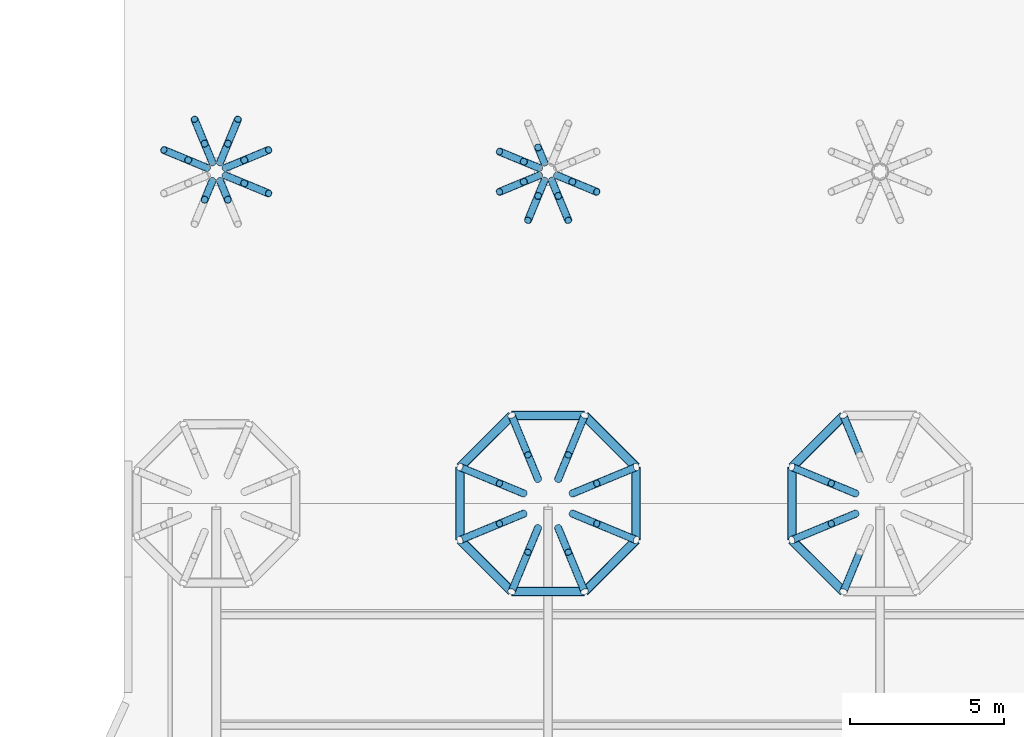
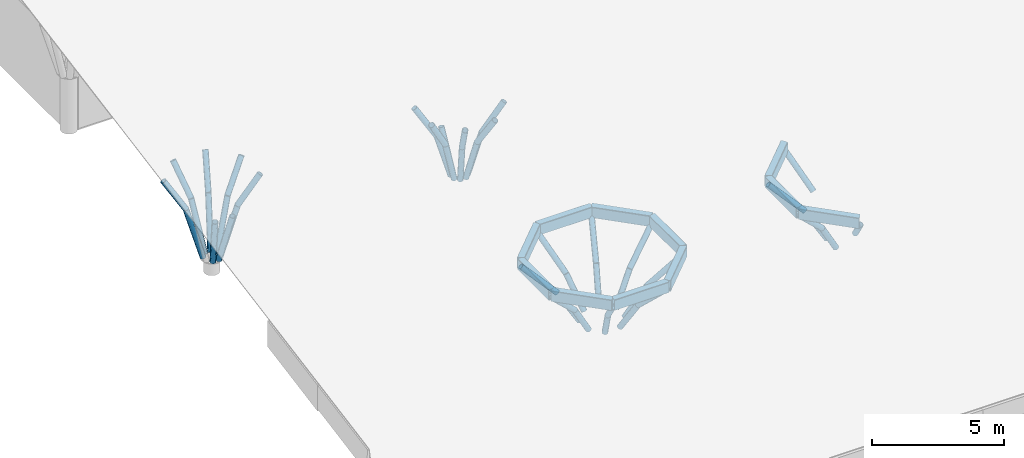
# One storey, part 7 of 56: 45 members, 11 beams.
"""IFC4 building model written with IfcOpenShell, lengths in metres."""

from ifc_helpers import new_model, si_unit, direction, frame, origin, origin_2d, place, context, subcontext, project, spatial, hollow_rectangle, hollow_circle, extrude, clip, halfspace, material, material_profile, profile_set, type_object, element, save


model = new_model("IFC4")

# Units and contexts
model_context = context("Model", 3, precision=1e-05, world=origin(), true_north=direction((0.0, 1.0)))
body_context = subcontext(model_context, "Body", "Model", "MODEL_VIEW")
ifc_project = project(units=[si_unit("LENGTHUNIT", "METRE"), si_unit("AREAUNIT", "SQUARE_METRE"), si_unit("VOLUMEUNIT", "CUBIC_METRE"), si_unit("PLANEANGLEUNIT", "RADIAN"), si_unit("MASSUNIT", "GRAM", prefix="KILO")], contexts=[model_context])

# Site, building, storey
site_placement = place(None, origin())
site = spatial("IfcSite", under=ifc_project, at=site_placement, CompositionType="ELEMENT")
building_placement = place(site_placement, origin())
building = spatial("IfcBuilding", under=site, at=building_placement, Name="Magnolia Steps Interchange", CompositionType="ELEMENT")
storey_placement = place(building_placement, frame((0.0, 0.0, 8.699951171875)))
storey = spatial("IfcBuildingStorey", under=building, at=storey_placement, Name="L02", CompositionType="ELEMENT", Elevation=8.699951171875)

# Beams
ifc_material_1 = material(Name="Steel Q355B", Category="steel")
ifc_material_profile_1 = material_profile(ifc_material_1, hollow_rectangle(XDim=0.300048828125, YDim=0.5, WallThickness=0.01611328125, InnerFilletRadius=0.01611328125, OuterFilletRadius=0.031982421875, at=origin_2d()), Name="RHS500x300x16")
ifc_profile_set_1 = profile_set([ifc_material_profile_1], Name="Steel Q355B")
beam_type = type_object("IfcBeamType", Name="Ring beam RHS500x300x16", PredefinedType="BEAM", material=ifc_profile_set_1)
beam_1_placement = place(storey_placement, frame((66.864013671875, 54.38623046875, 3.424560546875), z_axis=(-0.707106781187, 0.707106781187, 0.0), x_axis=(-0.707106781187, -0.707106781187, 0.0)))
element("IfcBeam", 1, at=beam_1_placement, inside=storey, type_object=beam_type, Name="Ring beam TH02B", PredefinedType="BEAM", context=body_context, shape_type="Clipping", body=[
    clip(clip(extrude(hollow_rectangle(XDim=0.300048828125, YDim=0.5, WallThickness=0.01611328125, InnerFilletRadius=0.01611328125, OuterFilletRadius=0.031982421875, at=origin_2d()), origin(), (0.0, 0.0, 1.0), 2.37255859375), halfspace(frame((0.0, 0.0, 0.0), z_axis=(0.382683433, 0.0, -0.923879532), x_axis=(0.923879532, 0.0, 0.382683433)), False)), halfspace(frame((0.0, 0.0, 2.372674707), z_axis=(0.382683433, 0.0, 0.923879532), x_axis=(0.923879532, 0.0, -0.382683433)), False)),
])
beam_2_placement = place(storey_placement, frame((65.186279296875, 56.06396484375, 3.424560546875), z_axis=(-1.0, 0.0, 0.0), x_axis=(0.0, -1.0, 0.0)))
element("IfcBeam", 2, at=beam_2_placement, inside=storey, type_object=beam_type, Name="Ring beam TH02B", PredefinedType="BEAM", context=body_context, shape_type="Clipping", body=[
    clip(clip(extrude(hollow_rectangle(XDim=0.300048828125, YDim=0.5, WallThickness=0.01611328125, InnerFilletRadius=0.01611328125, OuterFilletRadius=0.031982421875, at=origin_2d()), origin(), (0.0, 0.0, 1.0), 2.37255859375), halfspace(frame((0.0, 0.0, 0.0), z_axis=(0.382683432, 0.0, -0.923879533), x_axis=(0.923879533, 0.0, 0.382683432)), False)), halfspace(frame((0.0, 0.0, 2.372558594), z_axis=(0.382683432, 0.0, 0.923879533), x_axis=(0.923879533, 0.0, -0.382683432)), False)),
])
beam_3_placement = place(storey_placement, frame((62.813720703125, 56.06396484375, 3.424560546875), z_axis=(-0.707106781187, -0.707106781187, 0.0), x_axis=(0.707106781187, -0.707106781187, 0.0)))
element("IfcBeam", 3, at=beam_3_placement, inside=storey, type_object=beam_type, Name="Ring beam TH02B", PredefinedType="BEAM", context=body_context, shape_type="Clipping", body=[
    clip(clip(extrude(hollow_rectangle(XDim=0.300048828125, YDim=0.5, WallThickness=0.01611328125, InnerFilletRadius=0.01611328125, OuterFilletRadius=0.031982421875, at=origin_2d()), origin(), (0.0, 0.0, 1.0), 2.37255859375), halfspace(frame((0.0, 0.0, 0.0), z_axis=(0.382683433, 0.0, -0.923879532), x_axis=(0.923879532, 0.0, 0.382683433)), False)), halfspace(frame((0.0, 0.0, 2.372674707), z_axis=(0.382683433, 0.0, 0.923879532), x_axis=(0.923879532, 0.0, -0.382683433)), False)),
])
beam_4_placement = place(storey_placement, frame((61.135986328125, 54.38623046875, 3.424560546875), z_axis=(0.0, -1.0, 0.0), x_axis=(1.0, 0.0, 0.0)))
element("IfcBeam", 4, at=beam_4_placement, inside=storey, type_object=beam_type, Name="Ring beam TH02B", PredefinedType="BEAM", context=body_context, shape_type="Clipping", body=[
    clip(clip(extrude(hollow_rectangle(XDim=0.300048828125, YDim=0.5, WallThickness=0.01611328125, InnerFilletRadius=0.01611328125, OuterFilletRadius=0.031982421875, at=origin_2d()), origin(), (0.0, 0.0, 1.0), 2.37255859375), halfspace(frame((0.0, 0.0, 0.0), z_axis=(0.382683432, 0.0, -0.923879533), x_axis=(0.923879533, 0.0, 0.382683432)), False)), halfspace(frame((0.0, 0.0, 2.372558594), z_axis=(0.382683432, 0.0, 0.923879533), x_axis=(0.923879533, 0.0, -0.382683432)), False)),
])
beam_5_placement = place(storey_placement, frame((61.135986328125, 52.013671875, 3.424560546875), z_axis=(0.707106781187, -0.707106781187, 0.0), x_axis=(0.707106781187, 0.707106781187, 0.0)))
element("IfcBeam", 5, at=beam_5_placement, inside=storey, type_object=beam_type, Name="Ring beam TH02B", PredefinedType="BEAM", context=body_context, shape_type="Clipping", body=[
    clip(clip(extrude(hollow_rectangle(XDim=0.300048828125, YDim=0.5, WallThickness=0.01611328125, InnerFilletRadius=0.01611328125, OuterFilletRadius=0.031982421875, at=origin_2d()), origin(), (0.0, 0.0, 1.0), 2.37255859375), halfspace(frame((0.0, 0.0, 0.0), z_axis=(0.382683433, 0.0, -0.923879532), x_axis=(0.923879532, 0.0, 0.382683433)), False)), halfspace(frame((0.0, 0.0, 2.372674707), z_axis=(0.382683433, 0.0, 0.923879532), x_axis=(0.923879532, 0.0, -0.382683433)), False)),
])
beam_6_placement = place(storey_placement, frame((62.813720703125, 50.3359375, 3.424560546875), z_axis=(1.0, 0.0, 0.0), x_axis=(0.0, 1.0, 0.0)))
element("IfcBeam", 6, at=beam_6_placement, inside=storey, type_object=beam_type, Name="Ring beam TH02B", PredefinedType="BEAM", context=body_context, shape_type="Clipping", body=[
    clip(clip(extrude(hollow_rectangle(XDim=0.300048828125, YDim=0.5, WallThickness=0.01611328125, InnerFilletRadius=0.01611328125, OuterFilletRadius=0.031982421875, at=origin_2d()), origin(), (0.0, 0.0, 1.0), 2.37255859375), halfspace(frame((0.0, 0.0, 0.0), z_axis=(0.382683432, 0.0, -0.923879533), x_axis=(0.923879533, 0.0, 0.382683432)), False)), halfspace(frame((0.0, 0.0, 2.372558594), z_axis=(0.382683432, 0.0, 0.923879533), x_axis=(0.923879533, 0.0, -0.382683432)), False)),
])
beam_7_placement = place(storey_placement, frame((65.186279296875, 50.3359375, 3.424560546875), z_axis=(0.707106781187, 0.707106781187, 0.0), x_axis=(-0.707106781187, 0.707106781187, 0.0)))
element("IfcBeam", 7, at=beam_7_placement, inside=storey, type_object=beam_type, Name="Ring beam TH02B", PredefinedType="BEAM", context=body_context, shape_type="Clipping", body=[
    clip(clip(extrude(hollow_rectangle(XDim=0.300048828125, YDim=0.5, WallThickness=0.01611328125, InnerFilletRadius=0.01611328125, OuterFilletRadius=0.031982421875, at=origin_2d()), origin(), (0.0, 0.0, 1.0), 2.37255859375), halfspace(frame((0.0, 0.0, 0.0), z_axis=(0.382683433, 0.0, -0.923879532), x_axis=(0.923879532, 0.0, 0.382683433)), False)), halfspace(frame((0.0, 0.0, 2.372674707), z_axis=(0.382683433, 0.0, 0.923879532), x_axis=(0.923879532, 0.0, -0.382683433)), False)),
])
beam_8_placement = place(storey_placement, frame((66.864013671875, 52.013671875, 3.424560546875), z_axis=(0.0, 1.0, 0.0), x_axis=(-1.0, 0.0, 0.0)))
element("IfcBeam", 8, at=beam_8_placement, inside=storey, type_object=beam_type, Name="Ring beam TH02B", PredefinedType="BEAM", context=body_context, shape_type="Clipping", body=[
    clip(clip(extrude(hollow_rectangle(XDim=0.300048828125, YDim=0.5, WallThickness=0.01611328125, InnerFilletRadius=0.01611328125, OuterFilletRadius=0.031982421875, at=origin_2d()), origin(), (0.0, 0.0, 1.0), 2.37255859375), halfspace(frame((0.0, 0.0, 0.0), z_axis=(0.382683432, 0.0, -0.923879533), x_axis=(0.923879533, 0.0, 0.382683432)), False)), halfspace(frame((0.0, 0.0, 2.372558594), z_axis=(0.382683432, 0.0, 0.923879533), x_axis=(0.923879533, 0.0, -0.382683432)), False)),
])
beam_9_placement = place(storey_placement, frame((73.61376953125, 56.06396484375, 3.424560546875), z_axis=(-0.707106781187, -0.707106781187, 0.0), x_axis=(0.707106781187, -0.707106781187, 0.0)))
element("IfcBeam", 9, at=beam_9_placement, inside=storey, type_object=beam_type, Name="Ring beam TH03B", PredefinedType="BEAM", context=body_context, shape_type="Clipping", body=[
    clip(clip(extrude(hollow_rectangle(XDim=0.300048828125, YDim=0.5, WallThickness=0.01611328125, InnerFilletRadius=0.01611328125, OuterFilletRadius=0.031982421875, at=origin_2d()), origin(), (0.0, 0.0, 1.0), 2.37255859375), halfspace(frame((0.0, 0.0, 0.0), z_axis=(0.382683433, 0.0, -0.923879532), x_axis=(0.923879532, 0.0, 0.382683433)), False)), halfspace(frame((0.0, 0.0, 2.372674707), z_axis=(0.382683433, 0.0, 0.923879532), x_axis=(0.923879532, 0.0, -0.382683433)), False)),
])
beam_10_placement = place(storey_placement, frame((71.93603515625, 54.38623046875, 3.424560546875), z_axis=(0.0, -1.0, 0.0), x_axis=(1.0, 0.0, 0.0)))
element("IfcBeam", 10, at=beam_10_placement, inside=storey, type_object=beam_type, Name="Ring beam TH03B", PredefinedType="BEAM", context=body_context, shape_type="Clipping", body=[
    clip(clip(extrude(hollow_rectangle(XDim=0.300048828125, YDim=0.5, WallThickness=0.01611328125, InnerFilletRadius=0.01611328125, OuterFilletRadius=0.031982421875, at=origin_2d()), origin(), (0.0, 0.0, 1.0), 2.37255859375), halfspace(frame((0.0, 0.0, 0.0), z_axis=(0.382683432, 0.0, -0.923879533), x_axis=(0.923879533, 0.0, 0.382683432)), False)), halfspace(frame((0.0, 0.0, 2.372558594), z_axis=(0.382683432, 0.0, 0.923879533), x_axis=(0.923879533, 0.0, -0.382683432)), False)),
])
beam_11_placement = place(storey_placement, frame((71.93603515625, 52.013671875, 3.424560546875), z_axis=(0.707106781187, -0.707106781187, 0.0), x_axis=(0.707106781187, 0.707106781187, 0.0)))
element("IfcBeam", 11, at=beam_11_placement, inside=storey, type_object=beam_type, Name="Ring beam TH03B", PredefinedType="BEAM", context=body_context, shape_type="Clipping", body=[
    clip(clip(extrude(hollow_rectangle(XDim=0.300048828125, YDim=0.5, WallThickness=0.01611328125, InnerFilletRadius=0.01611328125, OuterFilletRadius=0.031982421875, at=origin_2d()), origin(), (0.0, 0.0, 1.0), 2.37255859375), halfspace(frame((0.0, 0.0, 0.0), z_axis=(0.382683433, 0.0, -0.923879532), x_axis=(0.923879532, 0.0, 0.382683433)), False)), halfspace(frame((0.0, 0.0, 2.372674707), z_axis=(0.382683433, 0.0, 0.923879532), x_axis=(0.923879532, 0.0, -0.382683433)), False)),
])

# Members
ifc_material_2 = material(Name="Steel Q355B", Category="steel")
ifc_material_profile_2 = material_profile(ifc_material_2, hollow_circle(Radius=0.12255859375, WallThickness=0.011962890625, at=origin_2d()), Name="CHS245x12")
ifc_profile_set_2 = profile_set([ifc_material_profile_2], Name="Steel Q355B")
member_type = type_object("IfcMemberType", Name="Tree rib CHS245x12", PredefinedType="USERDEFINED", material=ifc_profile_set_2)
member_1_placement = place(storey_placement, frame((53.5048828125, 64.126220703125, 0.670166015625), z_axis=(0.254701340525, 0.105485476775, 0.961249208751), x_axis=(-0.382636144688, 0.923899118291, 0.0)))
element("IfcMember", 12, at=member_1_placement, inside=storey, type_object=member_type, Name="Tree rib TH01C", ObjectType="TREE RIB", PredefinedType="USERDEFINED", context=body_context, shape_type="SweptSolid", body=[
    extrude(hollow_circle(Radius=0.12255859375, WallThickness=0.011962890625, at=origin_2d()), origin(), (0.0, 0.0, 1.0), 2.3837890625),
])
member_2_placement = place(storey_placement, frame((54.112060546875, 64.377685546875, 2.961669921875), z_axis=(0.489571014481, 0.202820124805, 0.848047297475), x_axis=(-0.382736860682, 0.923857399968, 0.0)))
element("IfcMember", 13, at=member_2_placement, inside=storey, type_object=member_type, Name="Tree rib TH01C", ObjectType="TREE RIB", PredefinedType="USERDEFINED", context=body_context, shape_type="SweptSolid", body=[
    extrude(hollow_circle(Radius=0.12255859375, WallThickness=0.011962890625, at=origin_2d()), origin(), (0.0, 0.0, 1.0), 1.6201171875),
])
member_3_placement = place(storey_placement, frame((53.326416015625, 64.304931640625, 0.670166015625), z_axis=(0.10538420162, 0.254704090796, 0.961259588343), x_axis=(-0.924030411119, 0.382318975891, 0.0)))
element("IfcMember", 14, at=member_3_placement, inside=storey, type_object=member_type, Name="Tree rib TH01C", ObjectType="TREE RIB", PredefinedType="USERDEFINED", context=body_context, shape_type="SweptSolid", body=[
    extrude(hollow_circle(Radius=0.12255859375, WallThickness=0.011962890625, at=origin_2d()), origin(), (0.0, 0.0, 1.0), 2.3837890625),
])
member_4_placement = place(storey_placement, frame((53.57763671875, 64.912109375, 2.961669921875), z_axis=(0.202835086264, 0.489456434015, 0.848109855491), x_axis=(-0.923815729635, 0.38283742983, 0.0)))
element("IfcMember", 15, at=member_4_placement, inside=storey, type_object=member_type, Name="Tree rib TH01C", ObjectType="TREE RIB", PredefinedType="USERDEFINED", context=body_context, shape_type="SweptSolid", body=[
    extrude(hollow_circle(Radius=0.12255859375, WallThickness=0.011962890625, at=origin_2d()), origin(), (0.0, 0.0, 1.0), 1.6201171875),
])
member_5_placement = place(storey_placement, frame((53.07373046875, 64.304931640625, 0.670166015625), z_axis=(-0.105485476775, 0.254701340525, 0.961249208751), x_axis=(-0.923899118291, -0.382636144688, 0.0)))
element("IfcMember", 16, at=member_5_placement, inside=storey, type_object=member_type, Name="Tree rib TH01C", ObjectType="TREE RIB", PredefinedType="USERDEFINED", context=body_context, shape_type="SweptSolid", body=[
    extrude(hollow_circle(Radius=0.12255859375, WallThickness=0.011962890625, at=origin_2d()), origin(), (0.0, 0.0, 1.0), 2.3837890625),
])
member_6_placement = place(storey_placement, frame((52.822265625, 64.912109375, 2.961669921875), z_axis=(-0.202835086264, 0.489456434015, 0.848109855491), x_axis=(-0.923815729635, -0.38283742983, 0.0)))
element("IfcMember", 17, at=member_6_placement, inside=storey, type_object=member_type, Name="Tree rib TH01C", ObjectType="TREE RIB", PredefinedType="USERDEFINED", context=body_context, shape_type="SweptSolid", body=[
    extrude(hollow_circle(Radius=0.12255859375, WallThickness=0.011962890625, at=origin_2d()), origin(), (0.0, 0.0, 1.0), 1.6201171875),
])
member_7_placement = place(storey_placement, frame((52.89501953125, 64.126220703125, 0.670166015625), z_axis=(-0.254605567514, 0.105488227892, 0.961274278636), x_axis=(-0.382767514508, -0.923844700065, 0.0)))
element("IfcMember", 18, at=member_7_placement, inside=storey, type_object=member_type, Name="Tree rib TH01C", ObjectType="TREE RIB", PredefinedType="USERDEFINED", context=body_context, shape_type="SweptSolid", body=[
    extrude(hollow_circle(Radius=0.12255859375, WallThickness=0.011962890625, at=origin_2d()), origin(), (0.0, 0.0, 1.0), 2.3837890625),
])
member_8_placement = place(storey_placement, frame((52.2880859375, 64.377685546875, 2.961669921875), z_axis=(-0.489571014481, 0.202820124805, 0.848047297475), x_axis=(-0.382736860682, -0.923857399968, 0.0)))
element("IfcMember", 19, at=member_8_placement, inside=storey, type_object=member_type, Name="Tree rib TH01C", ObjectType="TREE RIB", PredefinedType="USERDEFINED", context=body_context, shape_type="SweptSolid", body=[
    extrude(hollow_circle(Radius=0.12255859375, WallThickness=0.011962890625, at=origin_2d()), origin(), (0.0, 0.0, 1.0), 1.6201171875),
])
for number, where, z_axis, x_axis, name in (
    (20, (53.07373046875, 63.695068359375, 0.670166015625), (-0.105485476775, -0.254701340525, 0.961249208751), (0.923899118291, -0.382636144688, 0.0), "Tree rib TH01C"),
    (21, (53.326416015625, 63.695068359375, 0.670166015625), (0.10538420162, -0.254704090796, 0.961259588343), (0.924030411119, 0.382318975891, 0.0), "Tree rib TH01C"),
    (22, (53.5048828125, 63.873779296875, 0.670166015625), (0.254701340525, -0.105485476775, 0.961249208751), (0.382636144688, 0.923899118291, 0.0), "Tree rib TH01C"),
):
    element("IfcMember", number, at=place(storey_placement, frame(where, z_axis=z_axis, x_axis=x_axis)), inside=storey, type_object=member_type, Name=name, ObjectType="TREE RIB", PredefinedType="USERDEFINED", context=body_context, shape_type="SweptSolid", body=[
        extrude(hollow_circle(Radius=0.12255859375, WallThickness=0.011962890625, at=origin_2d()), origin(), (0.0, 0.0, 1.0), 2.3837890625),
    ])
for number, where, z_axis, x_axis, name in (
    (23, (54.112060546875, 63.622314453125, 2.961669921875), (0.489571014481, -0.202820124805, 0.848047297475), (0.382736860682, 0.923857399968, 0.0), "Tree rib TH01C"),
    (24, (64.789794921875, 53.527099609375, 0.5615234375), (0.489571014481, 0.202820124805, 0.848047297475), (-0.382736860682, 0.923857399968, 0.0), "Tree rib TH02B"),
):
    element("IfcMember", number, at=place(storey_placement, frame(where, z_axis=z_axis, x_axis=x_axis)), inside=storey, type_object=member_type, Name=name, ObjectType="TREE RIB", PredefinedType="USERDEFINED", context=body_context, shape_type="SweptSolid", body=[
        extrude(hollow_circle(Radius=0.12255859375, WallThickness=0.011962890625, at=origin_2d()), origin(), (0.0, 0.0, 1.0), 1.6201171875),
    ])
member_9_placement = place(storey_placement, frame((65.5830078125, 53.855712890625, 1.935546875), z_axis=(0.664618271493, 0.27524595082, 0.694638193418), x_axis=(-0.382626535499, 0.923903097912, 0.0)))
element("IfcMember", 25, at=member_9_placement, inside=storey, type_object=member_type, Name="Tree rib TH02B", ObjectType="TREE RIB", PredefinedType="USERDEFINED", context=body_context, shape_type="SweptSolid", body=[
    extrude(hollow_circle(Radius=0.12255859375, WallThickness=0.011962890625, at=origin_2d()), origin(), (0.0, 0.0, 1.0), 1.927490234375),
])
member_10_placement = place(storey_placement, frame((64.3271484375, 53.98974609375, 0.5615234375), z_axis=(0.202820124805, 0.489571014481, 0.848047297475), x_axis=(-0.923857399968, 0.382736860682, 0.0)))
element("IfcMember", 26, at=member_10_placement, inside=storey, type_object=member_type, Name="Tree rib TH02B", ObjectType="TREE RIB", PredefinedType="USERDEFINED", context=body_context, shape_type="SweptSolid", body=[
    extrude(hollow_circle(Radius=0.12255859375, WallThickness=0.011962890625, at=origin_2d()), origin(), (0.0, 0.0, 1.0), 1.6201171875),
])
member_11_placement = place(storey_placement, frame((64.65576171875, 54.782958984375, 1.935546875), z_axis=(0.27524595082, 0.664618271493, 0.694638193418), x_axis=(-0.923903097912, 0.382626535499, 0.0)))
element("IfcMember", 27, at=member_11_placement, inside=storey, type_object=member_type, Name="Tree rib TH02B", ObjectType="TREE RIB", PredefinedType="USERDEFINED", context=body_context, shape_type="SweptSolid", body=[
    extrude(hollow_circle(Radius=0.12255859375, WallThickness=0.011962890625, at=origin_2d()), origin(), (0.0, 0.0, 1.0), 1.927490234375),
])
member_12_placement = place(storey_placement, frame((63.6728515625, 53.98974609375, 0.5615234375), z_axis=(-0.202820124805, 0.489571014481, 0.848047297475), x_axis=(-0.923857399968, -0.382736860682, 0.0)))
element("IfcMember", 28, at=member_12_placement, inside=storey, type_object=member_type, Name="Tree rib TH02B", ObjectType="TREE RIB", PredefinedType="USERDEFINED", context=body_context, shape_type="SweptSolid", body=[
    extrude(hollow_circle(Radius=0.12255859375, WallThickness=0.011962890625, at=origin_2d()), origin(), (0.0, 0.0, 1.0), 1.6201171875),
])
member_13_placement = place(storey_placement, frame((63.34423828125, 54.782958984375, 1.935546875), z_axis=(-0.27524595082, 0.664618271493, 0.694638193418), x_axis=(-0.923903097912, -0.382626535499, 0.0)))
element("IfcMember", 29, at=member_13_placement, inside=storey, type_object=member_type, Name="Tree rib TH02B", ObjectType="TREE RIB", PredefinedType="USERDEFINED", context=body_context, shape_type="SweptSolid", body=[
    extrude(hollow_circle(Radius=0.12255859375, WallThickness=0.011962890625, at=origin_2d()), origin(), (0.0, 0.0, 1.0), 1.927490234375),
])
member_14_placement = place(storey_placement, frame((63.210205078125, 53.527099609375, 0.5615234375), z_axis=(-0.489571014481, 0.202820124805, 0.848047297475), x_axis=(-0.382736860682, -0.923857399968, 0.0)))
element("IfcMember", 30, at=member_14_placement, inside=storey, type_object=member_type, Name="Tree rib TH02B", ObjectType="TREE RIB", PredefinedType="USERDEFINED", context=body_context, shape_type="SweptSolid", body=[
    extrude(hollow_circle(Radius=0.12255859375, WallThickness=0.011962890625, at=origin_2d()), origin(), (0.0, 0.0, 1.0), 1.6201171875),
])
member_15_placement = place(storey_placement, frame((62.4169921875, 53.855712890625, 1.935546875), z_axis=(-0.664618271493, 0.27524595082, 0.694638193418), x_axis=(-0.382626535499, -0.923903097912, 0.0)))
element("IfcMember", 31, at=member_15_placement, inside=storey, type_object=member_type, Name="Tree rib TH02B", ObjectType="TREE RIB", PredefinedType="USERDEFINED", context=body_context, shape_type="SweptSolid", body=[
    extrude(hollow_circle(Radius=0.12255859375, WallThickness=0.011962890625, at=origin_2d()), origin(), (0.0, 0.0, 1.0), 1.927490234375),
])
member_16_placement = place(storey_placement, frame((63.210205078125, 52.872802734375, 0.5615234375), z_axis=(-0.489571014481, -0.202820124805, 0.848047297475), x_axis=(0.382736860682, -0.923857399968, 0.0)))
element("IfcMember", 32, at=member_16_placement, inside=storey, type_object=member_type, Name="Tree rib TH02B", ObjectType="TREE RIB", PredefinedType="USERDEFINED", context=body_context, shape_type="SweptSolid", body=[
    extrude(hollow_circle(Radius=0.12255859375, WallThickness=0.011962890625, at=origin_2d()), origin(), (0.0, 0.0, 1.0), 1.6201171875),
])
member_17_placement = place(storey_placement, frame((62.4169921875, 52.544189453125, 1.935546875), z_axis=(-0.664618271493, -0.27524595082, 0.694638193418), x_axis=(0.382626535499, -0.923903097912, 0.0)))
element("IfcMember", 33, at=member_17_placement, inside=storey, type_object=member_type, Name="Tree rib TH02B", ObjectType="TREE RIB", PredefinedType="USERDEFINED", context=body_context, shape_type="SweptSolid", body=[
    extrude(hollow_circle(Radius=0.12255859375, WallThickness=0.011962890625, at=origin_2d()), origin(), (0.0, 0.0, 1.0), 1.927490234375),
])
member_18_placement = place(storey_placement, frame((63.6728515625, 52.41015625, 0.5615234375), z_axis=(-0.202820124805, -0.489571014481, 0.848047297475), x_axis=(0.923857399968, -0.382736860682, 0.0)))
element("IfcMember", 34, at=member_18_placement, inside=storey, type_object=member_type, Name="Tree rib TH02B", ObjectType="TREE RIB", PredefinedType="USERDEFINED", context=body_context, shape_type="SweptSolid", body=[
    extrude(hollow_circle(Radius=0.12255859375, WallThickness=0.011962890625, at=origin_2d()), origin(), (0.0, 0.0, 1.0), 1.6201171875),
])
member_19_placement = place(storey_placement, frame((63.34423828125, 51.616943359375, 1.935546875), z_axis=(-0.27524595082, -0.664618271493, 0.694638193418), x_axis=(0.923903097912, -0.382626535499, 0.0)))
element("IfcMember", 35, at=member_19_placement, inside=storey, type_object=member_type, Name="Tree rib TH02B", ObjectType="TREE RIB", PredefinedType="USERDEFINED", context=body_context, shape_type="SweptSolid", body=[
    extrude(hollow_circle(Radius=0.12255859375, WallThickness=0.011962890625, at=origin_2d()), origin(), (0.0, 0.0, 1.0), 1.927490234375),
])
member_20_placement = place(storey_placement, frame((64.3271484375, 52.41015625, 0.5615234375), z_axis=(0.202820124805, -0.489571014481, 0.848047297475), x_axis=(0.923857399968, 0.382736860682, 0.0)))
element("IfcMember", 36, at=member_20_placement, inside=storey, type_object=member_type, Name="Tree rib TH02B", ObjectType="TREE RIB", PredefinedType="USERDEFINED", context=body_context, shape_type="SweptSolid", body=[
    extrude(hollow_circle(Radius=0.12255859375, WallThickness=0.011962890625, at=origin_2d()), origin(), (0.0, 0.0, 1.0), 1.6201171875),
])
member_21_placement = place(storey_placement, frame((64.65576171875, 51.616943359375, 1.935546875), z_axis=(0.27524595082, -0.664618271493, 0.694638193418), x_axis=(0.923903097912, 0.382626535499, 0.0)))
element("IfcMember", 37, at=member_21_placement, inside=storey, type_object=member_type, Name="Tree rib TH02B", ObjectType="TREE RIB", PredefinedType="USERDEFINED", context=body_context, shape_type="SweptSolid", body=[
    extrude(hollow_circle(Radius=0.12255859375, WallThickness=0.011962890625, at=origin_2d()), origin(), (0.0, 0.0, 1.0), 1.927490234375),
])
member_22_placement = place(storey_placement, frame((64.789794921875, 52.872802734375, 0.5615234375), z_axis=(0.489571014481, -0.202820124805, 0.848047297475), x_axis=(0.382736860682, 0.923857399968, 0.0)))
element("IfcMember", 38, at=member_22_placement, inside=storey, type_object=member_type, Name="Tree rib TH02B", ObjectType="TREE RIB", PredefinedType="USERDEFINED", context=body_context, shape_type="SweptSolid", body=[
    extrude(hollow_circle(Radius=0.12255859375, WallThickness=0.011962890625, at=origin_2d()), origin(), (0.0, 0.0, 1.0), 1.6201171875),
])
member_23_placement = place(storey_placement, frame((65.5830078125, 52.544189453125, 1.935546875), z_axis=(0.664618271493, -0.27524595082, 0.694638193418), x_axis=(0.382626535499, 0.923903097912, 0.0)))
element("IfcMember", 39, at=member_23_placement, inside=storey, type_object=member_type, Name="Tree rib TH02B", ObjectType="TREE RIB", PredefinedType="USERDEFINED", context=body_context, shape_type="SweptSolid", body=[
    extrude(hollow_circle(Radius=0.12255859375, WallThickness=0.011962890625, at=origin_2d()), origin(), (0.0, 0.0, 1.0), 1.927490234375),
])
for number, where, z_axis, x_axis, name in (
    (40, (63.877685546875, 64.295166015625, 0.670166015625), (-0.105465608268, 0.254676188738, 0.961258052951), (-0.923911239629, -0.382606875641, 0.0), "Tree rib TH02C"),
    (41, (63.704833984375, 64.122314453125, 0.670166015625), (-0.254676188738, 0.105465608268, 0.961258052951), (-0.382606875641, -0.923911239629, 0.0), "Tree rib TH02C"),
):
    element("IfcMember", number, at=place(storey_placement, frame(where, z_axis=z_axis, x_axis=x_axis)), inside=storey, type_object=member_type, Name=name, ObjectType="TREE RIB", PredefinedType="USERDEFINED", context=body_context, shape_type="SweptSolid", body=[
        extrude(hollow_circle(Radius=0.12255859375, WallThickness=0.011962890625, at=origin_2d()), origin(), (0.0, 0.0, 1.0), 1.942138671875),
    ])
member_24_placement = place(storey_placement, frame((63.210205078125, 64.3271484375, 2.537109375), z_axis=(-0.489571014481, 0.202820124805, 0.848047297475), x_axis=(-0.382736860682, -0.923857399968, 0.0)))
element("IfcMember", 42, at=member_24_placement, inside=storey, type_object=member_type, Name="Tree rib TH02C", ObjectType="TREE RIB", PredefinedType="USERDEFINED", context=body_context, shape_type="SweptSolid", body=[
    extrude(hollow_circle(Radius=0.12255859375, WallThickness=0.011962890625, at=origin_2d()), origin(), (0.0, 0.0, 1.0), 1.6201171875),
])
member_25_placement = place(storey_placement, frame((63.704833984375, 63.877685546875, 0.670166015625), z_axis=(-0.254676188738, -0.105465608268, 0.961258052951), x_axis=(0.382606875641, -0.923911239629, 0.0)))
element("IfcMember", 43, at=member_25_placement, inside=storey, type_object=member_type, Name="Tree rib TH02C", ObjectType="TREE RIB", PredefinedType="USERDEFINED", context=body_context, shape_type="SweptSolid", body=[
    extrude(hollow_circle(Radius=0.12255859375, WallThickness=0.011962890625, at=origin_2d()), origin(), (0.0, 0.0, 1.0), 1.942138671875),
])
member_26_placement = place(storey_placement, frame((63.210205078125, 63.6728515625, 2.537109375), z_axis=(-0.489571014481, -0.202820124805, 0.848047297475), x_axis=(0.382736860682, -0.923857399968, 0.0)))
element("IfcMember", 44, at=member_26_placement, inside=storey, type_object=member_type, Name="Tree rib TH02C", ObjectType="TREE RIB", PredefinedType="USERDEFINED", context=body_context, shape_type="SweptSolid", body=[
    extrude(hollow_circle(Radius=0.12255859375, WallThickness=0.011962890625, at=origin_2d()), origin(), (0.0, 0.0, 1.0), 1.6201171875),
])
member_27_placement = place(storey_placement, frame((63.877685546875, 63.704833984375, 0.670166015625), z_axis=(-0.105465608268, -0.254676188738, 0.961258052951), x_axis=(0.923911239629, -0.382606875641, 0.0)))
element("IfcMember", 45, at=member_27_placement, inside=storey, type_object=member_type, Name="Tree rib TH02C", ObjectType="TREE RIB", PredefinedType="USERDEFINED", context=body_context, shape_type="SweptSolid", body=[
    extrude(hollow_circle(Radius=0.12255859375, WallThickness=0.011962890625, at=origin_2d()), origin(), (0.0, 0.0, 1.0), 1.942138671875),
])
member_28_placement = place(storey_placement, frame((63.6728515625, 63.210205078125, 2.537109375), z_axis=(-0.202820124805, -0.489571014481, 0.848047297475), x_axis=(0.923857399968, -0.382736860682, 0.0)))
element("IfcMember", 46, at=member_28_placement, inside=storey, type_object=member_type, Name="Tree rib TH02C", ObjectType="TREE RIB", PredefinedType="USERDEFINED", context=body_context, shape_type="SweptSolid", body=[
    extrude(hollow_circle(Radius=0.12255859375, WallThickness=0.011962890625, at=origin_2d()), origin(), (0.0, 0.0, 1.0), 1.6201171875),
])
member_29_placement = place(storey_placement, frame((64.122314453125, 63.704833984375, 0.670166015625), z_axis=(0.105465608268, -0.254676188738, 0.961258052951), x_axis=(0.923911239629, 0.382606875641, 0.0)))
element("IfcMember", 47, at=member_29_placement, inside=storey, type_object=member_type, Name="Tree rib TH02C", ObjectType="TREE RIB", PredefinedType="USERDEFINED", context=body_context, shape_type="SweptSolid", body=[
    extrude(hollow_circle(Radius=0.12255859375, WallThickness=0.011962890625, at=origin_2d()), origin(), (0.0, 0.0, 1.0), 1.942138671875),
])
member_30_placement = place(storey_placement, frame((64.3271484375, 63.210205078125, 2.537109375), z_axis=(0.202820124805, -0.489571014481, 0.848047297475), x_axis=(0.923857399968, 0.382736860682, 0.0)))
element("IfcMember", 48, at=member_30_placement, inside=storey, type_object=member_type, Name="Tree rib TH02C", ObjectType="TREE RIB", PredefinedType="USERDEFINED", context=body_context, shape_type="SweptSolid", body=[
    extrude(hollow_circle(Radius=0.12255859375, WallThickness=0.011962890625, at=origin_2d()), origin(), (0.0, 0.0, 1.0), 1.6201171875),
])
member_31_placement = place(storey_placement, frame((64.295166015625, 63.877685546875, 0.670166015625), z_axis=(0.254676188738, -0.105465608268, 0.961258052951), x_axis=(0.382606875641, 0.923911239629, 0.0)))
element("IfcMember", 49, at=member_31_placement, inside=storey, type_object=member_type, Name="Tree rib TH02C", ObjectType="TREE RIB", PredefinedType="USERDEFINED", context=body_context, shape_type="SweptSolid", body=[
    extrude(hollow_circle(Radius=0.12255859375, WallThickness=0.011962890625, at=origin_2d()), origin(), (0.0, 0.0, 1.0), 1.942138671875),
])
member_32_placement = place(storey_placement, frame((64.789794921875, 63.6728515625, 2.537109375), z_axis=(0.489571014481, -0.202820124805, 0.848047297475), x_axis=(0.382736860682, 0.923857399968, 0.0)))
element("IfcMember", 50, at=member_32_placement, inside=storey, type_object=member_type, Name="Tree rib TH02C", ObjectType="TREE RIB", PredefinedType="USERDEFINED", context=body_context, shape_type="SweptSolid", body=[
    extrude(hollow_circle(Radius=0.12255859375, WallThickness=0.011962890625, at=origin_2d()), origin(), (0.0, 0.0, 1.0), 1.6201171875),
])
member_33_placement = place(storey_placement, frame((74.144287109375, 54.782958984375, 1.935546875), z_axis=(-0.27524595082, 0.664618271493, 0.694638193418), x_axis=(-0.923903097912, -0.382626535499, 0.0)))
element("IfcMember", 51, at=member_33_placement, inside=storey, type_object=member_type, Name="Tree rib TH03B", ObjectType="TREE RIB", PredefinedType="USERDEFINED", context=body_context, shape_type="SweptSolid", body=[
    extrude(hollow_circle(Radius=0.12255859375, WallThickness=0.011962890625, at=origin_2d()), origin(), (0.0, 0.0, 1.0), 1.927490234375),
])
member_34_placement = place(storey_placement, frame((74.01025390625, 53.527099609375, 0.5615234375), z_axis=(-0.489571014481, 0.202820124805, 0.848047297475), x_axis=(-0.382736860682, -0.923857399968, 0.0)))
element("IfcMember", 52, at=member_34_placement, inside=storey, type_object=member_type, Name="Tree rib TH03B", ObjectType="TREE RIB", PredefinedType="USERDEFINED", context=body_context, shape_type="SweptSolid", body=[
    extrude(hollow_circle(Radius=0.12255859375, WallThickness=0.011962890625, at=origin_2d()), origin(), (0.0, 0.0, 1.0), 1.6201171875),
])
member_35_placement = place(storey_placement, frame((73.217041015625, 53.855712890625, 1.935546875), z_axis=(-0.664618271493, 0.27524595082, 0.694638193418), x_axis=(-0.382626535499, -0.923903097912, 0.0)))
element("IfcMember", 53, at=member_35_placement, inside=storey, type_object=member_type, Name="Tree rib TH03B", ObjectType="TREE RIB", PredefinedType="USERDEFINED", context=body_context, shape_type="SweptSolid", body=[
    extrude(hollow_circle(Radius=0.12255859375, WallThickness=0.011962890625, at=origin_2d()), origin(), (0.0, 0.0, 1.0), 1.927490234375),
])
member_36_placement = place(storey_placement, frame((74.01025390625, 52.872802734375, 0.5615234375), z_axis=(-0.489571014481, -0.202820124805, 0.848047297475), x_axis=(0.382736860682, -0.923857399968, 0.0)))
element("IfcMember", 54, at=member_36_placement, inside=storey, type_object=member_type, Name="Tree rib TH03B", ObjectType="TREE RIB", PredefinedType="USERDEFINED", context=body_context, shape_type="SweptSolid", body=[
    extrude(hollow_circle(Radius=0.12255859375, WallThickness=0.011962890625, at=origin_2d()), origin(), (0.0, 0.0, 1.0), 1.6201171875),
])
for number, where, z_axis, x_axis, name in (
    (55, (73.217041015625, 52.544189453125, 1.935546875), (-0.664618271493, -0.27524595082, 0.694638193418), (0.382626535499, -0.923903097912, 0.0), "Tree rib TH03B"),
    (56, (74.144287109375, 51.616943359375, 1.935546875), (-0.27524595082, -0.664618271493, 0.694638193418), (0.923903097912, -0.382626535499, 0.0), "Tree rib TH03B"),
):
    element("IfcMember", number, at=place(storey_placement, frame(where, z_axis=z_axis, x_axis=x_axis)), inside=storey, type_object=member_type, Name=name, ObjectType="TREE RIB", PredefinedType="USERDEFINED", context=body_context, shape_type="SweptSolid", body=[
        extrude(hollow_circle(Radius=0.12255859375, WallThickness=0.011962890625, at=origin_2d()), origin(), (0.0, 0.0, 1.0), 1.927490234375),
    ])

save(model, "model.ifc")
